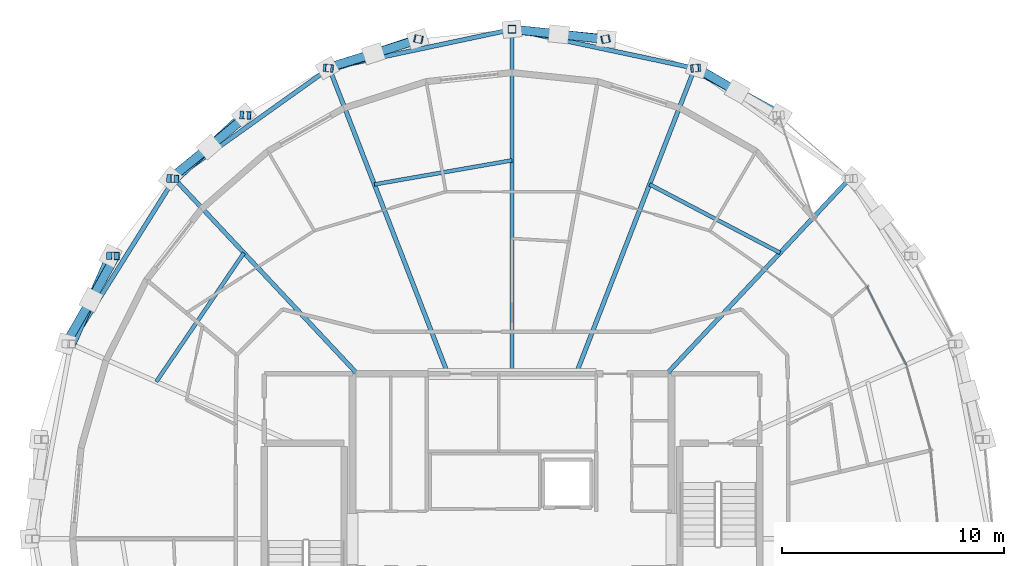
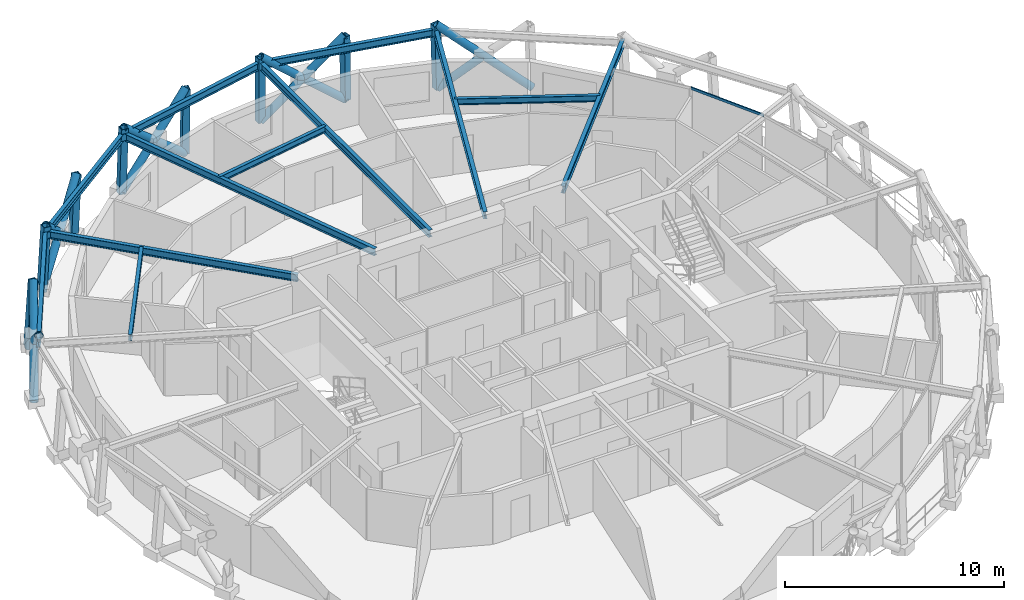
# One storey, part 7 of 15: 23 members, 12 beams, 1 element without a shape of its own.
"""IFC4 building model written with IfcOpenShell, lengths in metres."""

from ifc_helpers import new_model, si_unit, direction, frame, origin, origin_2d, place, context, subcontext, project, spatial, hollow_rectangle, hollow_circle, i_section, extrude, material, layer, layer_set, material_profile, profile_set, type_object, element, aggregate, save


model = new_model("IFC4")

# Units and contexts
model_context = context("Model", 3, precision=1e-05, world=origin(), true_north=direction((0.0, 1.0)))
body_context = subcontext(model_context, "Body", "Model", "MODEL_VIEW")
ifc_project = project(units=[si_unit("LENGTHUNIT", "METRE"), si_unit("AREAUNIT", "SQUARE_METRE"), si_unit("VOLUMEUNIT", "CUBIC_METRE"), si_unit("PLANEANGLEUNIT", "RADIAN"), si_unit("MASSUNIT", "GRAM", prefix="KILO")], contexts=[model_context])

# Site, building, storey
site_placement = place(None, origin())
site = spatial("IfcSite", under=ifc_project, at=site_placement, CompositionType="ELEMENT")
building_placement = place(site_placement, origin())
building = spatial("IfcBuilding", under=site, at=building_placement, Name="Veldorina Hangang Commons", CompositionType="ELEMENT")
storey_placement = place(building_placement, frame((0.0, 0.0, 265.199951171875)))
storey = spatial("IfcBuildingStorey", under=building, at=storey_placement, Name="L69", CompositionType="ELEMENT", Elevation=265.199951171875)

# Beams
ifc_material_1 = material(Name="Steel SM355-TMC", Category="steel")
ifc_material_profile_1 = material_profile(ifc_material_1, i_section(OverallWidth=0.199951171875, OverallDepth=0.39990234375, WebThickness=0.008056640625, FlangeThickness=0.012939453125, FilletRadius=0.012939453125, at=origin_2d()), Name="H-400x200x8x13")
ifc_profile_set_1 = profile_set([ifc_material_profile_1], Name="Steel SM355-TMC")
beam_type_1 = type_object("IfcBeamType", Name="BM-FG400", PredefinedType="BEAM", material=ifc_profile_set_1)
beam_1_placement = place(storey_placement, frame((38.981201171875, 31.449951171875, 3.16015625), z_axis=(0.683768962907, 0.729698571579, 0.0), x_axis=(-0.729698571579, 0.683768962907, 0.0)))
element("IfcBeam", 1, at=beam_1_placement, inside=storey, type_object=beam_type_1, Name="L69 radial floor girder 03", PredefinedType="BEAM", context=body_context, shape_type="SweptSolid", body=[
    extrude(i_section(OverallWidth=0.199951171875, OverallDepth=0.39990234375, WebThickness=0.008056640625, FlangeThickness=0.012939453125, FilletRadius=0.012939453125, at=origin_2d()), origin(), (0.0, 0.0, 1.0), 12.076904296875),
])
beam_2_placement = place(storey_placement, frame((34.8916015625, 31.449951171875, 3.16015625), z_axis=(0.361852365043, 0.932235413355, 0.0), x_axis=(-0.932235413355, 0.361852365043, 0.0)))
element("IfcBeam", 2, at=beam_2_placement, inside=storey, type_object=beam_type_1, Name="L69 radial floor girder 04", PredefinedType="BEAM", context=body_context, shape_type="SweptSolid", body=[
    extrude(i_section(OverallWidth=0.199951171875, OverallDepth=0.39990234375, WebThickness=0.008056640625, FlangeThickness=0.012939453125, FilletRadius=0.012939453125, at=origin_2d()), origin(), (0.0, 0.0, 1.0), 14.80078125),
])
beam_3_placement = place(storey_placement, frame((32.0, 31.449951171875, 3.16015625), z_axis=(0.0, 1.0, 0.0), x_axis=(-1.0, 0.0, 0.0)))
element("IfcBeam", 3, at=beam_3_placement, inside=storey, type_object=beam_type_1, Name="L69 radial floor girder 05", PredefinedType="BEAM", context=body_context, shape_type="SweptSolid", body=[
    extrude(i_section(OverallWidth=0.199951171875, OverallDepth=0.39990234375, WebThickness=0.008056640625, FlangeThickness=0.012939453125, FilletRadius=0.012939453125, at=origin_2d()), origin(), (0.0, 0.0, 1.0), 15.548583984375),
])
beam_4_placement = place(storey_placement, frame((29.1083984375, 31.449951171875, 3.16015625), z_axis=(-0.361852365043, 0.932235413355, 0.0), x_axis=(-0.932235413355, -0.361852365043, 0.0)))
element("IfcBeam", 4, at=beam_4_placement, inside=storey, type_object=beam_type_1, Name="L69 radial floor girder 06", PredefinedType="BEAM", context=body_context, shape_type="SweptSolid", body=[
    extrude(i_section(OverallWidth=0.199951171875, OverallDepth=0.39990234375, WebThickness=0.008056640625, FlangeThickness=0.012939453125, FilletRadius=0.012939453125, at=origin_2d()), origin(), (0.0, 0.0, 1.0), 14.80078125),
])
beam_5_placement = place(storey_placement, frame((25.018798828125, 31.449951171875, 3.16015625), z_axis=(-0.683768962907, 0.729698571579, 0.0), x_axis=(-0.729698571579, -0.683768962907, 0.0)))
element("IfcBeam", 5, at=beam_5_placement, inside=storey, type_object=beam_type_1, Name="L69 radial floor girder 07", PredefinedType="BEAM", context=body_context, shape_type="SweptSolid", body=[
    extrude(i_section(OverallWidth=0.199951171875, OverallDepth=0.39990234375, WebThickness=0.008056640625, FlangeThickness=0.012939453125, FilletRadius=0.012939453125, at=origin_2d()), origin(), (0.0, 0.0, 1.0), 12.076904296875),
])
ifc_material_profile_2 = material_profile(ifc_material_1, i_section(OverallWidth=0.175048828125, OverallDepth=0.35009765625, WebThickness=0.007080078125, FlangeThickness=0.010986328125, FilletRadius=0.012939453125, at=origin_2d()), Name="H-350x175x7x11")
ifc_profile_set_2 = profile_set([ifc_material_profile_2], Name="Steel SM355-TMC")
beam_type_2 = type_object("IfcBeamType", Name="BM-JST350", PredefinedType="JOIST", material=ifc_profile_set_2)
beam_6_placement = place(storey_placement, frame((44.100830078125, 36.913818359375, 3.18505859375), z_axis=(-0.885443223956, 0.464747562823, 0.0), x_axis=(-0.464747562823, -0.885443223956, 0.0)))
element("IfcBeam", 6, at=beam_6_placement, inside=storey, type_object=beam_type_2, Name="L69 secondary floor joist 03", PredefinedType="JOIST", context=body_context, shape_type="SweptSolid", body=[
    extrude(i_section(OverallWidth=0.175048828125, OverallDepth=0.35009765625, WebThickness=0.007080078125, FlangeThickness=0.010986328125, FilletRadius=0.012939453125, at=origin_2d()), origin(), (0.0, 0.0, 1.0), 6.650634765625),
])
beam_7_placement = place(storey_placement, frame((32.0, 41.090087890625, 3.18505859375), z_axis=(-0.98507562693, -0.172122076531, 0.0), x_axis=(0.172122076531, -0.98507562693, 0.0)))
element("IfcBeam", 7, at=beam_7_placement, inside=storey, type_object=beam_type_2, Name="L69 secondary floor joist 05", PredefinedType="JOIST", context=body_context, shape_type="SweptSolid", body=[
    extrude(i_section(OverallWidth=0.175048828125, OverallDepth=0.35009765625, WebThickness=0.007080078125, FlangeThickness=0.010986328125, FilletRadius=0.012939453125, at=origin_2d()), origin(), (0.0, 0.0, 1.0), 6.306396484375),
])
beam_8_placement = place(storey_placement, frame((19.899169921875, 36.913818359375, 3.18505859375), z_axis=(-0.562580553537, -0.826742475492, 0.0), x_axis=(0.826742475492, -0.562580553537, 0.0)))
element("IfcBeam", 8, at=beam_8_placement, inside=storey, type_object=beam_type_2, Name="L69 secondary floor joist 07", PredefinedType="JOIST", context=body_context, shape_type="SweptSolid", body=[
    extrude(i_section(OverallWidth=0.175048828125, OverallDepth=0.35009765625, WebThickness=0.007080078125, FlangeThickness=0.010986328125, FilletRadius=0.012939453125, at=origin_2d()), origin(), (0.0, 0.0, 1.0), 7.0341796875),
])
ifc_material_profile_3 = material_profile(ifc_material_1, i_section(OverallWidth=0.199951171875, OverallDepth=0.39990234375, WebThickness=0.008056640625, FlangeThickness=0.012939453125, FilletRadius=0.012939453125, at=origin_2d()), Name="H-400x200x8x13")
ifc_profile_set_3 = profile_set([ifc_material_profile_3], Name="Steel SM355-TMC")
beam_type_3 = type_object("IfcBeamType", Name="BM-RB400", PredefinedType="BEAM", material=ifc_profile_set_3)
for number, where, z_axis, x_axis, name in (
    (9, (40.247314453125, 45.247802734375, 3.16015625), (-0.978202764857, 0.207651994517, 0.0), (-0.207651994517, -0.978202764857, 0.0), "L69 perimeter hoop ring beam 06"),
    (10, (32.0, 46.99853515625, 3.16015625), (-0.978202764857, -0.207651994517, 0.0), (0.207651994517, -0.978202764857, 0.0), "L69 perimeter hoop ring beam 08"),
):
    element("IfcBeam", number, at=place(storey_placement, frame(where, z_axis=z_axis, x_axis=x_axis)), inside=storey, type_object=beam_type_3, Name=name, PredefinedType="BEAM", context=body_context, shape_type="SweptSolid", body=[
        extrude(i_section(OverallWidth=0.199951171875, OverallDepth=0.39990234375, WebThickness=0.008056640625, FlangeThickness=0.012939453125, FilletRadius=0.012939453125, at=origin_2d()), origin(), (0.0, 0.0, 1.0), 8.43115234375),
    ])
beam_9_placement = place(storey_placement, frame((23.752685546875, 45.247802734375, 3.16015625), z_axis=(-0.814213450629, -0.580565635234, 0.0), x_axis=(0.580565635234, -0.814213450629, 0.0)))
element("IfcBeam", 11, at=beam_9_placement, inside=storey, type_object=beam_type_3, Name="L69 perimeter hoop ring beam 10", PredefinedType="BEAM", context=body_context, shape_type="SweptSolid", body=[
    extrude(i_section(OverallWidth=0.199951171875, OverallDepth=0.39990234375, WebThickness=0.008056640625, FlangeThickness=0.012939453125, FilletRadius=0.012939453125, at=origin_2d()), origin(), (0.0, 0.0, 1.0), 8.587158203125),
])
beam_10_placement = place(storey_placement, frame((16.760986328125, 40.262451171875, 3.16015625), z_axis=(-0.530664395291, -0.847582031175, 0.0), x_axis=(0.847582031175, -0.530664395291, 0.0)))
element("IfcBeam", 12, at=beam_10_placement, inside=storey, type_object=beam_type_3, Name="L69 perimeter hoop ring beam 12", PredefinedType="BEAM", context=body_context, shape_type="SweptSolid", body=[
    extrude(i_section(OverallWidth=0.199951171875, OverallDepth=0.39990234375, WebThickness=0.008056640625, FlangeThickness=0.012939453125, FilletRadius=0.012939453125, at=origin_2d()), origin(), (0.0, 0.0, 1.0), 8.802978515625),
])

# Curtain wall, member
ifc_material_2 = material(Name="Glass Low-E Selective", Category="glass")
ifc_layer = layer(ifc_material_2, 0.179931640625)
ifc_layer_set = layer_set([ifc_layer], Name="Glass Low-E Selective")
curtain_wall_type = type_object("IfcCurtainWallType", Name="CW-SYS-Z3", PredefinedType="NOTDEFINED", material=ifc_layer_set)
curtain_wall_placement = place(storey_placement, origin())
curtain_wall = element("IfcCurtainWall", 13, at=curtain_wall_placement, inside=storey, type_object=curtain_wall_type, Name="L69 unitised curtain wall CW-L69-R2", PredefinedType="NOTDEFINED")
ifc_material_3 = material(Name="Aluminium Anodized AA6063-T6", Category="aluminium")
ifc_material_profile_4 = material_profile(ifc_material_3, hollow_rectangle(XDim=0.06005859375, YDim=0.139892578125, WallThickness=0.00341796875, at=origin_2d()), Name="ALU-RHS-140x60x3.5")
ifc_profile_set_4 = profile_set([ifc_material_profile_4], Name="Aluminium Anodized AA6063-T6")
member_type_1 = type_object("IfcMemberType", Name="CW-TRN-140", PredefinedType="USERDEFINED", material=ifc_profile_set_4)
member_1_placement = place(storey_placement, frame((49.80908203125, 31.8408203125, 3.280029296875), z_axis=(-0.449305888376, 0.893377981971, 0.0), x_axis=(-0.893377981971, -0.449305888376, 0.0)))
member_1 = element("IfcMember", 14, at=member_1_placement, type_object=member_type_1, Name="CW-L69-R2 facet 4 transom 1", ObjectType="TRANSOM", PredefinedType="USERDEFINED", context=body_context, shape_type="SweptSolid", body=[
    extrude(hollow_rectangle(XDim=0.06005859375, YDim=0.139892578125, WallThickness=0.00341796875, at=origin_2d()), origin(), (0.0, 0.0, 1.0), 3.965087890625),
])
aggregate(curtain_wall, [member_1])

# Members
ifc_material_profile_5 = material_profile(ifc_material_1, hollow_circle(Radius=0.199951171875, WallThickness=0.02001953125, at=origin_2d()), Name="CHS-400x20")
ifc_profile_set_5 = profile_set([ifc_material_profile_5], Name="Steel SM355-TMC")
member_type_2 = type_object("IfcMemberType", Name="DG-CHS400", PredefinedType="BRACE", material=ifc_profile_set_5)
member_2_placement = place(storey_placement, frame((44.109375, 43.13134765625, 0.0), z_axis=(-0.680260747937, 0.371308455876, 0.631961506273), x_axis=(-0.479107822766, -0.877756056182, 0.0)))
element("IfcMember", 15, at=member_2_placement, inside=storey, type_object=member_type_2, Name="L69 continuous perimeter diagrid brace 05", PredefinedType="BRACE", context=body_context, shape_type="SweptSolid", body=[
    extrude(hollow_circle(Radius=0.199951171875, WallThickness=0.02001953125, at=origin_2d()), origin(), (0.0, 0.0, 1.0), 5.69677734375),
])
member_3_placement = place(storey_placement, frame((40.341064453125, 45.257568359375, 0.0), z_axis=(0.655447400539, -0.382776361007, 0.651053732484), x_axis=(0.504295655864, 0.863531059938, 0.0)))
element("IfcMember", 16, at=member_3_placement, inside=storey, type_object=member_type_2, Name="L69 split perimeter diagrid lower brace 06", PredefinedType="BRACE", context=body_context, shape_type="SweptSolid", body=[
    extrude(hollow_circle(Radius=0.199951171875, WallThickness=0.02001953125, at=origin_2d()), origin(), (0.0, 0.0, 1.0), 2.7783203125),
])
member_4_placement = place(storey_placement, frame((36.252197265625, 46.56689453125, 0.0), z_axis=(-0.760937027967, 0.076980596158, 0.644242832543), x_axis=(-0.100651780554, -0.994921715047, 0.0)))
element("IfcMember", 17, at=member_4_placement, inside=storey, type_object=member_type_2, Name="L69 continuous perimeter diagrid brace 07", PredefinedType="BRACE", context=body_context, shape_type="SweptSolid", body=[
    extrude(hollow_circle(Radius=0.199951171875, WallThickness=0.02001953125, at=origin_2d()), origin(), (0.0, 0.0, 1.0), 5.588134765625),
])
member_5_placement = place(storey_placement, frame((32.0, 47.009033203125, 0.0), z_axis=(0.7566384803, -0.080796712793, 0.64882208758), x_axis=(0.106180116419, 0.994346912741, 0.0)))
element("IfcMember", 18, at=member_5_placement, inside=storey, type_object=member_type_2, Name="L69 split perimeter diagrid lower brace 08", PredefinedType="BRACE", context=body_context, shape_type="SweptSolid", body=[
    extrude(hollow_circle(Radius=0.199951171875, WallThickness=0.02001953125, at=origin_2d()), origin(), (0.0, 0.0, 1.0), 2.7919921875),
])
member_6_placement = place(storey_placement, frame((34.112548828125, 46.783447265625, 1.8115234375), z_axis=(0.756423898709, -0.082807205865, 0.648818813013), x_axis=(0.108821834373, 0.994061269924, 0.0)))
element("IfcMember", 19, at=member_6_placement, inside=storey, type_object=member_type_2, Name="L69 split perimeter diagrid upper brace 08", PredefinedType="BRACE", context=body_context, shape_type="SweptSolid", body=[
    extrude(hollow_circle(Radius=0.199951171875, WallThickness=0.02001953125, at=origin_2d()), origin(), (0.0, 0.0, 1.0), 2.756591796875),
])
member_7_placement = place(storey_placement, frame((27.747802734375, 46.56689453125, 0.0), z_axis=(-0.720309767154, -0.238837229967, 0.6512377576), x_axis=(0.314725903923, -0.949182598555, 0.0)))
element("IfcMember", 20, at=member_7_placement, inside=storey, type_object=member_type_2, Name="L69 continuous perimeter diagrid brace 09", PredefinedType="BRACE", context=body_context, shape_type="SweptSolid", body=[
    extrude(hollow_circle(Radius=0.199951171875, WallThickness=0.02001953125, at=origin_2d()), origin(), (0.0, 0.0, 1.0), 5.528076171875),
])
member_8_placement = place(storey_placement, frame((23.658935546875, 45.257568359375, 0.0), z_axis=(0.735437784504, 0.22747361784, 0.638268766516), x_axis=(-0.29549181422, 0.955345271475, 0.0)))
element("IfcMember", 21, at=member_8_placement, inside=storey, type_object=member_type_2, Name="L69 split perimeter diagrid lower brace 10", PredefinedType="BRACE", context=body_context, shape_type="SweptSolid", body=[
    extrude(hollow_circle(Radius=0.199951171875, WallThickness=0.02001953125, at=origin_2d()), origin(), (0.0, 0.0, 1.0), 2.836669921875),
])
member_9_placement = place(storey_placement, frame((25.7451171875, 45.90283203125, 1.810546875), z_axis=(0.733761810049, 0.232685919351, 0.63831878325), x_axis=(-0.302278960894, 0.953219507669, 0.0)))
element("IfcMember", 22, at=member_9_placement, inside=storey, type_object=member_type_2, Name="L69 split perimeter diagrid upper brace 10", PredefinedType="BRACE", context=body_context, shape_type="SweptSolid", body=[
    extrude(hollow_circle(Radius=0.199951171875, WallThickness=0.02001953125, at=origin_2d()), origin(), (0.0, 0.0, 1.0), 2.803466796875),
])
member_10_placement = place(storey_placement, frame((19.890625, 43.13134765625, 0.0), z_axis=(-0.559153356685, -0.516817899299, 0.648264438846), x_axis=(0.678759565124, -0.734360574073, 0.0)))
element("IfcMember", 23, at=member_10_placement, inside=storey, type_object=member_type_2, Name="L69 continuous perimeter diagrid brace 11", PredefinedType="BRACE", context=body_context, shape_type="SweptSolid", body=[
    extrude(hollow_circle(Radius=0.199951171875, WallThickness=0.02001953125, at=origin_2d()), origin(), (0.0, 0.0, 1.0), 5.553466796875),
])
member_11_placement = place(storey_placement, frame((16.587646484375, 40.27001953125, 0.0), z_axis=(0.604514590713, 0.492410765284, 0.626173895853), x_axis=(-0.631552173455, 0.77533338133, 0.0)))
element("IfcMember", 24, at=member_11_placement, inside=storey, type_object=member_type_2, Name="L69 split perimeter diagrid lower brace 12", PredefinedType="BRACE", context=body_context, shape_type="SweptSolid", body=[
    extrude(hollow_circle(Radius=0.199951171875, WallThickness=0.02001953125, at=origin_2d()), origin(), (0.0, 0.0, 1.0), 2.885498046875),
])
member_12_placement = place(storey_placement, frame((18.33203125, 41.69091796875, 1.806884765625), z_axis=(0.598542896886, 0.499553110093, 0.626253216186), x_axis=(-0.64076510214, 0.76773698874, 0.0)))
element("IfcMember", 25, at=member_12_placement, inside=storey, type_object=member_type_2, Name="L69 split perimeter diagrid upper brace 12", PredefinedType="BRACE", context=body_context, shape_type="SweptSolid", body=[
    extrude(hollow_circle(Radius=0.199951171875, WallThickness=0.02001953125, at=origin_2d()), origin(), (0.0, 0.0, 1.0), 2.86328125),
])
member_13_placement = place(storey_placement, frame((13.876953125, 36.783203125, 0.0), z_axis=(-0.310854967404, -0.705085801343, 0.63735641676), x_axis=(0.915019516921, -0.403409573082, 0.0)))
element("IfcMember", 26, at=member_13_placement, inside=storey, type_object=member_type_2, Name="L69 continuous perimeter diagrid brace 13", PredefinedType="BRACE", context=body_context, shape_type="SweptSolid", body=[
    extrude(hollow_circle(Radius=0.199951171875, WallThickness=0.02001953125, at=origin_2d()), origin(), (0.0, 0.0, 1.0), 5.6484375),
])
member_14_placement = place(storey_placement, frame((11.86279296875, 32.80517578125, 0.0), z_axis=(0.389926389319, 0.681469544681, 0.619319522206), x_axis=(-0.86796032347, 0.496633543854, 0.0)))
element("IfcMember", 27, at=member_14_placement, inside=storey, type_object=member_type_2, Name="L69 split perimeter diagrid lower brace 14", PredefinedType="BRACE", context=body_context, shape_type="SweptSolid", body=[
    extrude(hollow_circle(Radius=0.199951171875, WallThickness=0.02001953125, at=origin_2d()), origin(), (0.0, 0.0, 1.0), 2.910888671875),
])
member_15_placement = place(storey_placement, frame((12.997802734375, 34.788818359375, 1.802734375), z_axis=(0.383153698264, 0.685098672867, 0.619542615114), x_axis=(-0.872778274225, 0.48811687539, 0.0)))
element("IfcMember", 28, at=member_15_placement, inside=storey, type_object=member_type_2, Name="L69 split perimeter diagrid upper brace 14", PredefinedType="BRACE", context=body_context, shape_type="SweptSolid", body=[
    extrude(hollow_circle(Radius=0.199951171875, WallThickness=0.02001953125, at=origin_2d()), origin(), (0.0, 0.0, 1.0), 2.901123046875),
])
ifc_material_profile_6 = material_profile(ifc_material_1, hollow_rectangle(XDim=0.35009765625, YDim=0.35009765625, WallThickness=0.01611328125, at=origin_2d()), Name="SHS-350x350x16")
ifc_profile_set_6 = profile_set([ifc_material_profile_6], Name="Steel SM355-TMC")
member_type_3 = type_object("IfcMemberType", Name="STR-SHS350", PredefinedType="STRUT", material=ifc_profile_set_6)
member_16_placement = place(storey_placement, frame((40.341064453125, 45.257568359375, 0.0), z_axis=(-0.02968973787, -0.003050315535, 0.999554508289), x_axis=(0.102201749155, -0.994763691773, 0.0)))
element("IfcMember", 29, at=member_16_placement, inside=storey, type_object=member_type_3, Name="L69 perimeter ring node post 06", PredefinedType="STRUT", context=body_context, shape_type="SweptSolid", body=[
    extrude(hollow_rectangle(XDim=0.35009765625, YDim=0.35009765625, WallThickness=0.01611328125, at=origin_2d()), origin(), (0.0, 0.0, 1.0), 3.601806640625),
])
member_17_placement = place(storey_placement, frame((36.252197265625, 46.56689453125, 0.0), z_axis=(-0.015120936091, -0.003254730638, 0.999880374855), x_axis=(0.210427165066, -0.9776095377, 0.0)))
element("IfcMember", 30, at=member_17_placement, inside=storey, type_object=member_type_3, Name="L69 perimeter ring node post 07", PredefinedType="STRUT", context=body_context, shape_type="SweptSolid", body=[
    extrude(hollow_rectangle(XDim=0.35009765625, YDim=0.35009765625, WallThickness=0.01611328125, at=origin_2d()), origin(), (0.0, 0.0, 1.0), 3.6005859375),
])
member_18_placement = place(storey_placement, frame((32.0, 47.009033203125, 0.0), z_axis=(0.0, -0.003322916688, 0.999994479097), x_axis=(1.0, 0.0, 0.0)))
element("IfcMember", 31, at=member_18_placement, inside=storey, type_object=member_type_3, Name="L69 perimeter ring node post 08", PredefinedType="STRUT", context=body_context, shape_type="SweptSolid", body=[
    extrude(hollow_rectangle(XDim=0.35009765625, YDim=0.35009765625, WallThickness=0.01611328125, at=origin_2d()), origin(), (0.0, 0.0, 1.0), 3.60009765625),
])
member_19_placement = place(storey_placement, frame((27.747802734375, 46.56689453125, 0.0), z_axis=(0.015120936091, -0.003254730638, 0.999880374855), x_axis=(0.210427165066, 0.9776095377, 0.0)))
element("IfcMember", 32, at=member_19_placement, inside=storey, type_object=member_type_3, Name="L69 perimeter ring node post 09", PredefinedType="STRUT", context=body_context, shape_type="SweptSolid", body=[
    extrude(hollow_rectangle(XDim=0.35009765625, YDim=0.35009765625, WallThickness=0.01611328125, at=origin_2d()), origin(), (0.0, 0.0, 1.0), 3.6005859375),
])
member_20_placement = place(storey_placement, frame((23.658935546875, 45.257568359375, 0.0), z_axis=(0.02968973787, -0.003050315535, 0.999554508289), x_axis=(0.102201749155, 0.994763691773, 0.0)))
element("IfcMember", 33, at=member_20_placement, inside=storey, type_object=member_type_3, Name="L69 perimeter ring node post 10", PredefinedType="STRUT", context=body_context, shape_type="SweptSolid", body=[
    extrude(hollow_rectangle(XDim=0.35009765625, YDim=0.35009765625, WallThickness=0.01611328125, at=origin_2d()), origin(), (0.0, 0.0, 1.0), 3.601806640625),
])
member_21_placement = place(storey_placement, frame((19.890625, 43.13134765625, 0.0), z_axis=(0.043090113968, -0.002777821812, 0.999067327954), x_axis=(0.064331872556, 0.997928559654, 0.0)))
element("IfcMember", 34, at=member_21_placement, inside=storey, type_object=member_type_3, Name="L69 perimeter ring node post 11", PredefinedType="STRUT", context=body_context, shape_type="SweptSolid", body=[
    extrude(hollow_rectangle(XDim=0.35009765625, YDim=0.35009765625, WallThickness=0.01611328125, at=origin_2d()), origin(), (0.0, 0.0, 1.0), 3.603515625),
])
member_22_placement = place(storey_placement, frame((16.587646484375, 40.27001953125, 0.0), z_axis=(0.054847303698, -0.002437657942, 0.998491778184), x_axis=(0.044400613621, 0.999013806466, 0.0)))
element("IfcMember", 35, at=member_22_placement, inside=storey, type_object=member_type_3, Name="L69 perimeter ring node post 12", PredefinedType="STRUT", context=body_context, shape_type="SweptSolid", body=[
    extrude(hollow_rectangle(XDim=0.35009765625, YDim=0.35009765625, WallThickness=0.01611328125, at=origin_2d()), origin(), (0.0, 0.0, 1.0), 3.60546875),
])
member_23_placement = place(storey_placement, frame((13.876953125, 36.783203125, 0.0), z_axis=(0.064425642018, -0.001894871824, 0.997920711335), x_axis=(0.029399051602, 0.999567754464, 0.0)))
element("IfcMember", 36, at=member_23_placement, inside=storey, type_object=member_type_3, Name="L69 perimeter ring node post 13", PredefinedType="STRUT", context=body_context, shape_type="SweptSolid", body=[
    extrude(hollow_rectangle(XDim=0.35009765625, YDim=0.35009765625, WallThickness=0.01611328125, at=origin_2d()), origin(), (0.0, 0.0, 1.0), 3.607666015625),
])

save(model, "model.ifc")
